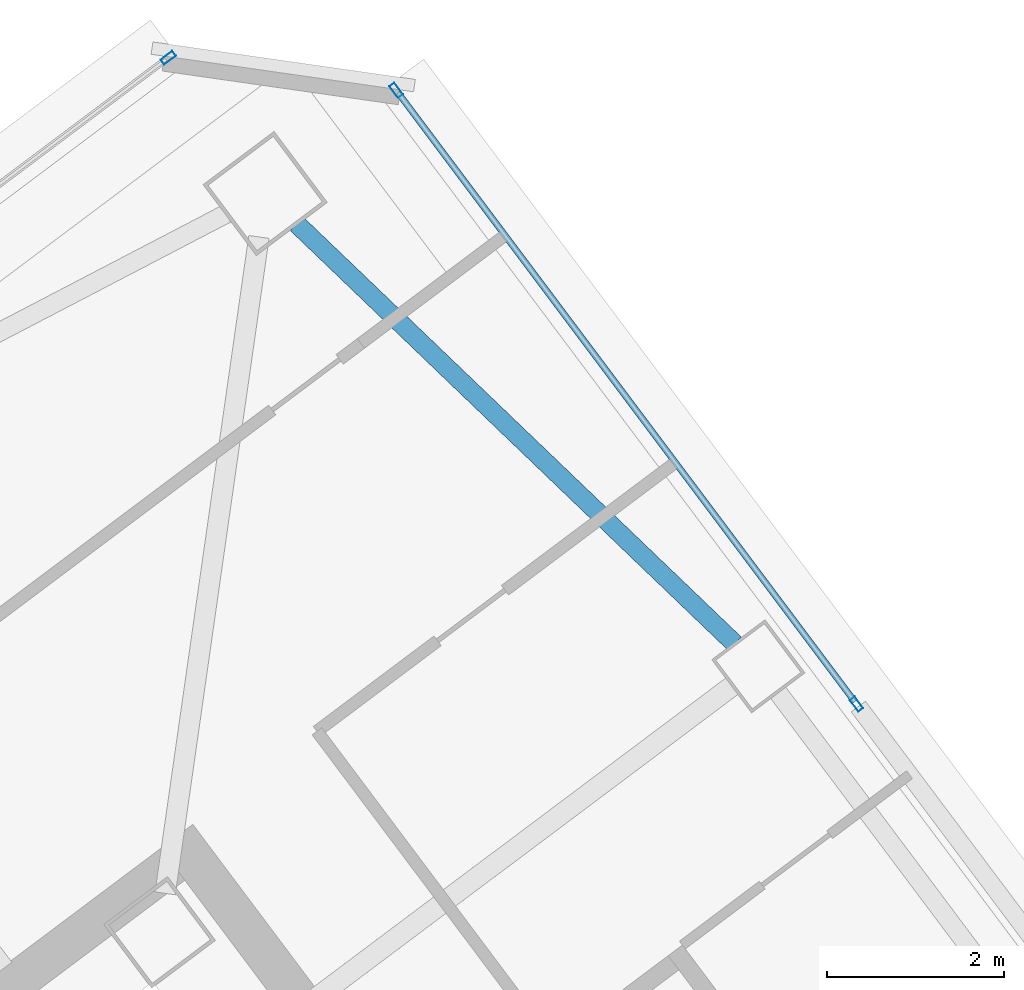
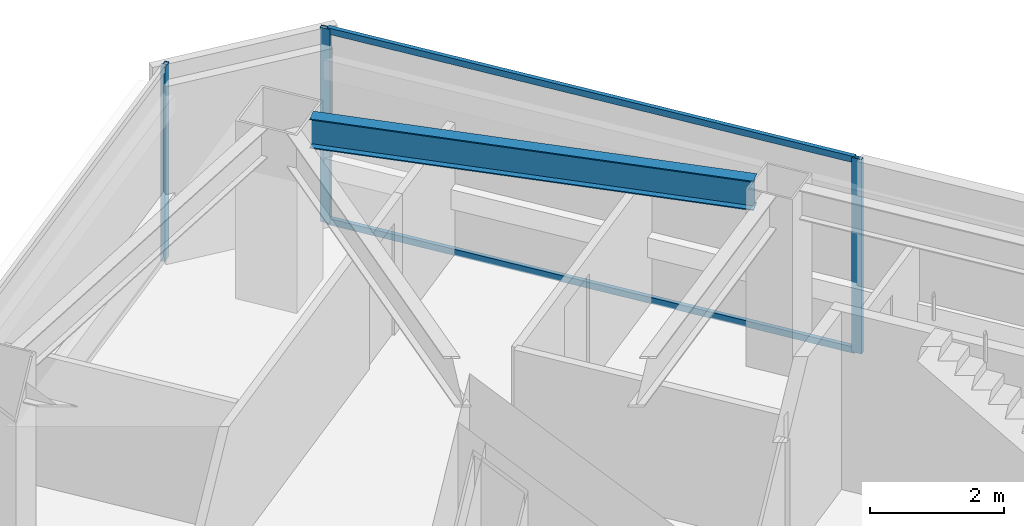
# One storey, part 27 of 39: 5 members, 1 beam, 2 elements without a shape of their own.
"""IFC4 building model written with IfcOpenShell, lengths in metres."""

from ifc_helpers import new_model, si_unit, direction, frame, origin, origin_2d, place, context, subcontext, project, spatial, hollow_rectangle, i_section, extrude, material, material_profile, profile_set, type_object, element, aggregate, save


model = new_model("IFC4")

# Units and contexts
model_context = context("Model", 3, precision=1e-05, world=origin(), true_north=direction((0.0, 1.0)))
body_context = subcontext(model_context, "Body", "Model", "MODEL_VIEW")
ifc_project = project(units=[si_unit("LENGTHUNIT", "METRE"), si_unit("AREAUNIT", "SQUARE_METRE"), si_unit("VOLUMEUNIT", "CUBIC_METRE"), si_unit("PLANEANGLEUNIT", "RADIAN"), si_unit("MASSUNIT", "GRAM", prefix="KILO")], contexts=[model_context])

# Site, building, storey
site_placement = place(None, origin())
site = spatial("IfcSite", under=ifc_project, at=site_placement, CompositionType="ELEMENT")
building_placement = place(site_placement, origin())
building = spatial("IfcBuilding", under=site, at=building_placement, Name="Tashvorn Skyway Center", CompositionType="ELEMENT")
storey_placement = place(building_placement, frame((0.0, 0.0, 243.25)))
storey = spatial("IfcBuildingStorey", under=building, at=storey_placement, Name="L66", CompositionType="ELEMENT", Elevation=243.25)

# Beam
ifc_material_1 = material(Name="Steel ASTM A992 Grade 50", Category="steel")
ifc_material_profile_1 = material_profile(ifc_material_1, i_section(OverallWidth=0.2109375, OverallDepth=0.5390625, WebThickness=0.01171875, FlangeThickness=0.018798828125, at=origin_2d()), Name="W21X73")
ifc_profile_set_1 = profile_set([ifc_material_profile_1], Name="Steel ASTM A992 Grade 50")
beam_type = type_object("IfcBeamType", Name="BM-SPANDREL-W21X73", PredefinedType="SPANDREL", material=ifc_profile_set_1)
beam_placement = place(storey_placement, frame((121.892822265625, 45.1259765625, 2.98046875), z_axis=(-0.72187522213, 0.69202323926, 0.0), x_axis=(-0.69202323926, -0.72187522213, 0.0)))
element("IfcBeam", 1, at=beam_placement, inside=storey, type_object=beam_type, Name="Tower 2 L66 Spandrel Beam 06", PredefinedType="SPANDREL", context=body_context, shape_type="SweptSolid", body=[
    extrude(i_section(OverallWidth=0.2109375, OverallDepth=0.5390625, WebThickness=0.01171875, FlangeThickness=0.018798828125, at=origin_2d()), origin(), (0.0, 0.0, 1.0), 6.837158203125),
])

# Curtain wall, member
ifc_material_2 = material(Name="Thermally broken bronze-anodized aluminium 6063-T6", Category="aluminium")
curtain_wall_type = type_object("IfcCurtainWallType", Name="CW-CW-Z5", PredefinedType="NOTDEFINED", material=ifc_material_2)
curtain_wall_1_placement = place(storey_placement, origin())
curtain_wall_1 = element("IfcCurtainWall", 2, at=curtain_wall_1_placement, inside=storey, type_object=curtain_wall_type, Name="Tower 2 L66 North Unitised Curtain Wall Glazing Group 2", PredefinedType="NOTDEFINED")
ifc_material_profile_2 = material_profile(ifc_material_2, hollow_rectangle(XDim=0.070068359375, YDim=0.1650390625, WallThickness=0.00390625, at=origin_2d()), Name="ALU-MULL-70x165")
ifc_profile_set_2 = profile_set([ifc_material_profile_2], Name="Thermally broken bronze-anodized aluminium 6063-T6")
member_type_1 = type_object("IfcMemberType", Name="CWM-CW-Z5", PredefinedType="MULLION", material=ifc_profile_set_2)
member_1_placement = place(storey_placement, frame((115.508056640625, 51.73095703125, 0.0), z_axis=(0.0, 0.0, 1.0), x_axis=(-0.600000000002, 0.799999999998, 0.0)))
member_1 = element("IfcMember", 3, at=member_1_placement, type_object=member_type_1, Name="CW-Z5 mullion 2", PredefinedType="MULLION", context=body_context, shape_type="SweptSolid", body=[
    extrude(hollow_rectangle(XDim=0.070068359375, YDim=0.1650390625, WallThickness=0.00390625, at=origin_2d()), origin(), (0.0, 0.0, 1.0), 3.550048828125),
])
aggregate(curtain_wall_1, [member_1])

# Curtain wall, members
curtain_wall_2_placement = place(storey_placement, origin())
curtain_wall_2 = element("IfcCurtainWall", 4, at=curtain_wall_2_placement, inside=storey, type_object=curtain_wall_type, Name="Tower 2 L66 East Unitised Curtain Wall Glazing Group 1", PredefinedType="NOTDEFINED")
member_2_placement = place(storey_placement, frame((118.076904296875, 51.364013671875, 0.0), z_axis=(0.0, 0.0, 1.0), x_axis=(0.799999999998, 0.600000000002, 0.0)))
member_2 = element("IfcMember", 5, at=member_2_placement, type_object=member_type_1, Name="CW-Z5 mullion 1", PredefinedType="MULLION", context=body_context, shape_type="SweptSolid", body=[
    extrude(hollow_rectangle(XDim=0.070068359375, YDim=0.1650390625, WallThickness=0.00390625, at=origin_2d()), origin(), (0.0, 0.0, 1.0), 3.550048828125),
])
member_3_placement = place(storey_placement, frame((123.26708984375, 44.444091796875, 0.0), z_axis=(0.0, 0.0, 1.0), x_axis=(0.799999999998, 0.600000000002, 0.0)))
member_3 = element("IfcMember", 6, at=member_3_placement, type_object=member_type_1, Name="CW-Z5 mullion 2", PredefinedType="MULLION", context=body_context, shape_type="SweptSolid", body=[
    extrude(hollow_rectangle(XDim=0.070068359375, YDim=0.1650390625, WallThickness=0.00390625, at=origin_2d()), origin(), (0.0, 0.0, 1.0), 3.550048828125),
])
ifc_material_profile_3 = material_profile(ifc_material_2, hollow_rectangle(XDim=0.070068359375, YDim=0.114990234375, WallThickness=0.00390625, at=origin_2d()), Name="ALU-TRAN-70x115")
ifc_profile_set_3 = profile_set([ifc_material_profile_3], Name="Thermally broken bronze-anodized aluminium 6063-T6")
member_type_2 = type_object("IfcMemberType", Name="CWT-CW-Z5", PredefinedType="USERDEFINED", material=ifc_profile_set_3)
member_4_placement = place(storey_placement, frame((118.097900390625, 51.3359375, 0.034912109375), z_axis=(0.600013657927, -0.799989756372, 0.0), x_axis=(0.799989756372, 0.600013657927, 0.0)))
member_4 = element("IfcMember", 7, at=member_4_placement, type_object=member_type_2, Name="CW-Z5 transom 1.1", ObjectType="TRANSOM", PredefinedType="USERDEFINED", context=body_context, shape_type="SweptSolid", body=[
    extrude(hollow_rectangle(XDim=0.070068359375, YDim=0.114990234375, WallThickness=0.00390625, at=origin_2d()), origin(), (0.0, 0.0, 1.0), 8.580078125),
])
member_5_placement = place(storey_placement, frame((118.097900390625, 51.3359375, 3.514892578125), z_axis=(0.600013657927, -0.799989756372, 0.0), x_axis=(0.799989756372, 0.600013657927, 0.0)))
member_5 = element("IfcMember", 8, at=member_5_placement, type_object=member_type_2, Name="CW-Z5 transom 1.2", ObjectType="TRANSOM", PredefinedType="USERDEFINED", context=body_context, shape_type="SweptSolid", body=[
    extrude(hollow_rectangle(XDim=0.070068359375, YDim=0.114990234375, WallThickness=0.00390625, at=origin_2d()), origin(), (0.0, 0.0, 1.0), 8.580078125),
])
aggregate(curtain_wall_2, [member_2, member_3, member_4, member_5])

save(model, "model.ifc")
